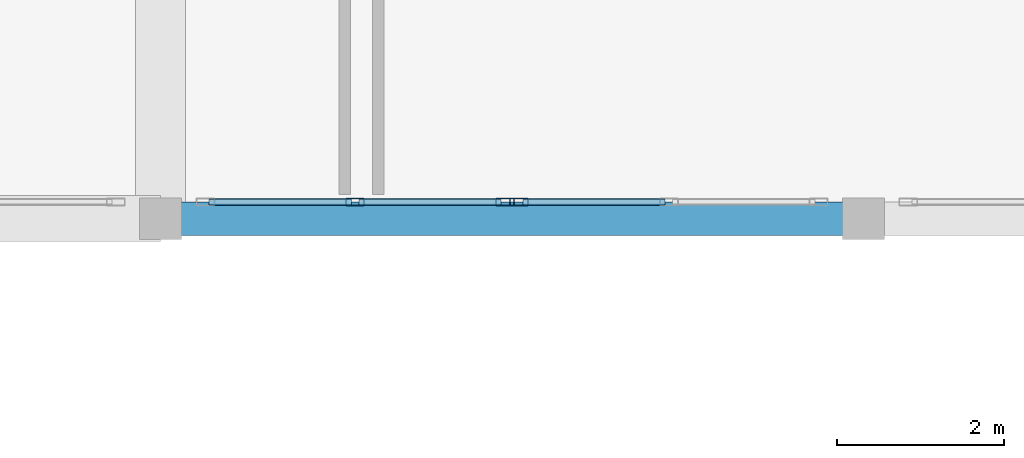
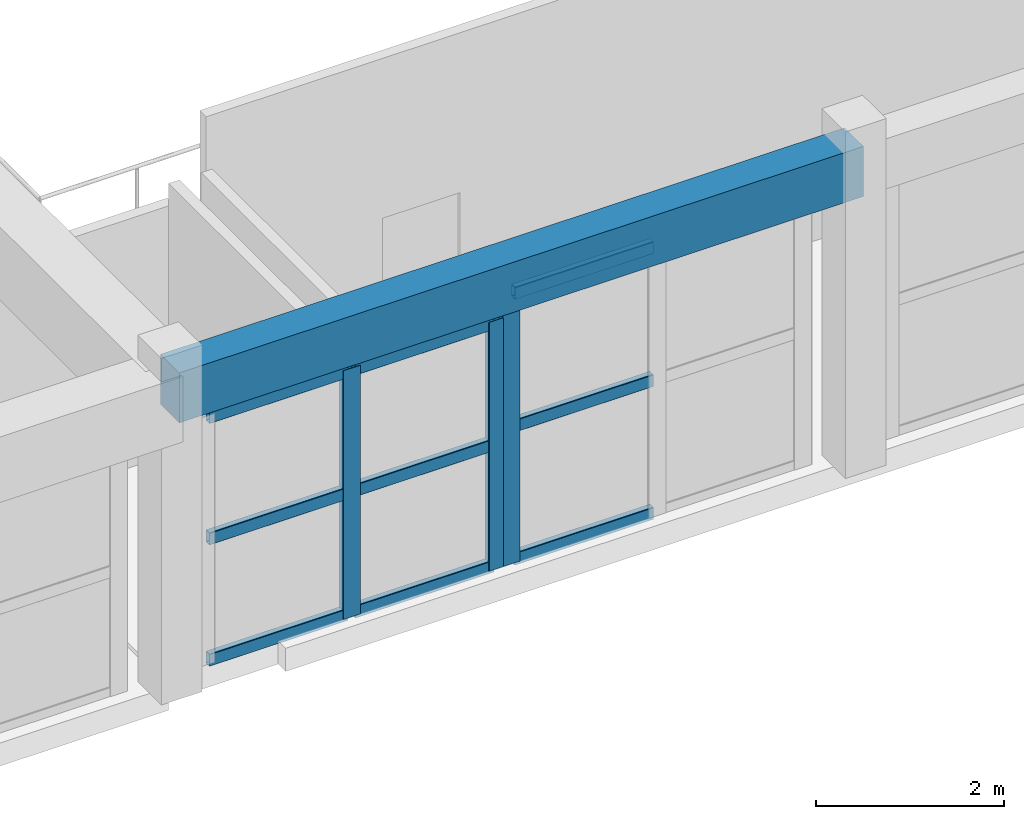
# One storey, part 15 of 92: 12 members, 1 beam, 2 elements without a shape of their own.
"""IFC4 building model written with IfcOpenShell, lengths in metres."""

from ifc_helpers import new_model, si_unit, direction, frame, origin, origin_2d, place, context, subcontext, project, spatial, rectangle, hollow_rectangle, extrude, material, layer, layer_set, material_profile, profile_set, type_object, element, aggregate, save


model = new_model("IFC4")

# Units and contexts
model_context = context("Model", 3, precision=1e-05, world=origin(), true_north=direction((0.0, 1.0)))
body_context = subcontext(model_context, "Body", "Model", "MODEL_VIEW")
ifc_project = project(units=[si_unit("LENGTHUNIT", "METRE"), si_unit("AREAUNIT", "SQUARE_METRE"), si_unit("VOLUMEUNIT", "CUBIC_METRE"), si_unit("PLANEANGLEUNIT", "RADIAN"), si_unit("MASSUNIT", "GRAM", prefix="KILO")], contexts=[model_context])

# Site, building, storey
site_placement = place(None, origin())
site = spatial("IfcSite", under=ifc_project, at=site_placement, CompositionType="ELEMENT")
building_placement = place(site_placement, origin())
building = spatial("IfcBuilding", under=site, at=building_placement, Name="Tarnavel Promenade Courthouse", CompositionType="ELEMENT")
storey_placement = place(building_placement, frame((0.0, 0.0, 5.39990234375)))
storey = spatial("IfcBuildingStorey", under=building, at=storey_placement, Name="L02", CompositionType="ELEMENT", Elevation=5.39990234375)

# Beam
ifc_material_1 = material(Name="Concrete C40/50", Category="concrete")
ifc_material_profile_1 = material_profile(ifc_material_1, rectangle(XDim=0.39990234375, YDim=0.64990234375, at=origin_2d()), Name="RC 400x650")
ifc_profile_set_1 = profile_set([ifc_material_profile_1], Name="Concrete C40/50")
beam_type = type_object("IfcBeamType", Name="Concrete C40/50 BM-RC-400x650 (RC 400x650)", PredefinedType="BEAM", material=ifc_profile_set_1)
beam_placement = place(storey_placement, frame((58.800048828125, 46.800048828125, 3.8701171875), z_axis=(1.0, 0.0, 0.0), x_axis=(0.0, 1.0, 0.0)))
element("IfcBeam", 1, at=beam_placement, inside=storey, type_object=beam_type, Name="L02 Primary Longitudinal Beam 1110", PredefinedType="BEAM", context=body_context, shape_type="SweptSolid", body=[
    extrude(rectangle(XDim=0.39990234375, YDim=0.64990234375, at=origin_2d()), origin(), (0.0, 0.0, 1.0), 8.39990234375),
])

# Curtain wall, members
ifc_material_2 = material(Name="Thermally Broken Anodised Aluminium Curtain Wall System", Category="aluminium")
ifc_layer = layer(ifc_material_2, 0.239990234375)
ifc_layer_set = layer_set([ifc_layer], Name="Thermally Broken Anodised Aluminium Curtain Wall System")
curtain_wall_type = type_object("IfcCurtainWallType", Name="Thermally Broken Aluminium Triple-Glazed Curtain Wall CW-WG-S", PredefinedType="NOTDEFINED", material=ifc_layer_set)
curtain_wall_1_placement = place(storey_placement, origin())
curtain_wall_1 = element("IfcCurtainWall", 2, at=curtain_wall_1_placement, inside=storey, type_object=curtain_wall_type, Name="L02 Winter-Garden South Solar Curtain Wall 067", PredefinedType="NOTDEFINED")
ifc_material_3 = material(Name="Thermally Broken Anodised Aluminium Frame", Category="aluminium")
ifc_material_profile_2 = material_profile(ifc_material_3, hollow_rectangle(XDim=0.090087890625, YDim=0.219970703125, WallThickness=0.0048828125, InnerFilletRadius=0.0048828125, OuterFilletRadius=0.010009765625, at=origin_2d()), Name="CWM 220x90x5")
ifc_profile_set_2 = profile_set([ifc_material_profile_2], Name="Thermally Broken Anodised Aluminium Frame")
member_type_1 = type_object("IfcMemberType", Name="Thermally Broken Anodised Aluminium CWM-175 (CWM 220x90x5)", PredefinedType="MULLION", material=ifc_profile_set_2)
member_1_placement = place(storey_placement, frame((61.125, 47.0, 0.0), z_axis=(0.0, 0.0, 1.0), x_axis=(0.0, 1.0, 0.0)))
member_1 = element("IfcMember", 3, at=member_1_placement, type_object=member_type_1, Name="CW-02 mullion 2", PredefinedType="MULLION", context=body_context, shape_type="SweptSolid", body=[
    extrude(hollow_rectangle(XDim=0.090087890625, YDim=0.219970703125, WallThickness=0.0048828125, InnerFilletRadius=0.0048828125, OuterFilletRadius=0.010009765625, at=origin_2d()), origin(), (0.0, 0.0, 1.0), 3.22998046875),
])
member_2_placement = place(storey_placement, frame((62.9150390625, 47.0, 0.0), z_axis=(0.0, 0.0, 1.0), x_axis=(0.0, 1.0, 0.0)))
member_2 = element("IfcMember", 4, at=member_2_placement, type_object=member_type_1, Name="CW-02 mullion 3", PredefinedType="MULLION", context=body_context, shape_type="SweptSolid", body=[
    extrude(hollow_rectangle(XDim=0.090087890625, YDim=0.219970703125, WallThickness=0.0048828125, InnerFilletRadius=0.0048828125, OuterFilletRadius=0.010009765625, at=origin_2d()), origin(), (0.0, 0.0, 1.0), 3.22998046875),
])

# Curtain wall, member
curtain_wall_2_placement = place(storey_placement, origin())
curtain_wall_2 = element("IfcCurtainWall", 5, at=curtain_wall_2_placement, inside=storey, type_object=curtain_wall_type, Name="L02 Winter-Garden South Solar Curtain Wall 068", PredefinedType="NOTDEFINED")
member_3_placement = place(storey_placement, frame((63.0849609375, 47.0, 0.0), z_axis=(0.0, 0.0, 1.0), x_axis=(0.0, 1.0, 0.0)))
member_3 = element("IfcMember", 6, at=member_3_placement, type_object=member_type_1, Name="CW-02 mullion 1", PredefinedType="MULLION", context=body_context, shape_type="SweptSolid", body=[
    extrude(hollow_rectangle(XDim=0.090087890625, YDim=0.219970703125, WallThickness=0.0048828125, InnerFilletRadius=0.0048828125, OuterFilletRadius=0.010009765625, at=origin_2d()), origin(), (0.0, 0.0, 1.0), 3.530029296875),
])

# Member
ifc_material_profile_3 = material_profile(ifc_material_3, hollow_rectangle(XDim=0.080078125, YDim=0.159912109375, WallThickness=0.0048828125, InnerFilletRadius=0.0048828125, OuterFilletRadius=0.010009765625, at=origin_2d()), Name="CWT 160x80x5")
ifc_profile_set_3 = profile_set([ifc_material_profile_3], Name="Thermally Broken Anodised Aluminium Frame")
member_type_2 = type_object("IfcMemberType", Name="Thermally Broken Anodised Aluminium CWT-145 (CWT 160x80x5)", PredefinedType="USERDEFINED", material=ifc_profile_set_3)
member_4_placement = place(storey_placement, frame((59.3798828125, 47.0, 0.0400390625), z_axis=(1.0, 0.0, 0.0), x_axis=(0.0, 1.0, 0.0)))
member_4 = element("IfcMember", 7, at=member_4_placement, type_object=member_type_2, Name="CW-02 transom 1.1", ObjectType="TRANSOM", PredefinedType="USERDEFINED", context=body_context, shape_type="SweptSolid", body=[
    extrude(hollow_rectangle(XDim=0.080078125, YDim=0.159912109375, WallThickness=0.0048828125, InnerFilletRadius=0.0048828125, OuterFilletRadius=0.010009765625, at=origin_2d()), origin(), (0.0, 0.0, 1.0), 1.7001953125),
])

member_5_placement = place(storey_placement, frame((59.3798828125, 47.0, 1.614990234375), z_axis=(1.0, 0.0, 0.0), x_axis=(0.0, 1.0, 0.0)))
member_5 = element("IfcMember", 8, at=member_5_placement, type_object=member_type_2, Name="CW-02 transom 1.2", ObjectType="TRANSOM", PredefinedType="USERDEFINED", context=body_context, shape_type="SweptSolid", body=[
    extrude(hollow_rectangle(XDim=0.080078125, YDim=0.159912109375, WallThickness=0.0048828125, InnerFilletRadius=0.0048828125, OuterFilletRadius=0.010009765625, at=origin_2d()), origin(), (0.0, 0.0, 1.0), 1.7001953125),
])

member_6_placement = place(storey_placement, frame((59.3798828125, 47.0, 3.190185546875), z_axis=(1.0, 0.0, 0.0), x_axis=(0.0, 1.0, 0.0)))
member_6 = element("IfcMember", 9, at=member_6_placement, type_object=member_type_2, Name="CW-02 transom 1.3", ObjectType="TRANSOM", PredefinedType="USERDEFINED", context=body_context, shape_type="SweptSolid", body=[
    extrude(hollow_rectangle(XDim=0.080078125, YDim=0.159912109375, WallThickness=0.0048828125, InnerFilletRadius=0.0048828125, OuterFilletRadius=0.010009765625, at=origin_2d()), origin(), (0.0, 0.0, 1.0), 1.7001953125),
])

member_7_placement = place(storey_placement, frame((61.169921875, 47.0, 0.0400390625), z_axis=(1.0, 0.0, 0.0), x_axis=(0.0, 1.0, 0.0)))
member_7 = element("IfcMember", 10, at=member_7_placement, type_object=member_type_2, Name="CW-02 transom 2.1", ObjectType="TRANSOM", PredefinedType="USERDEFINED", context=body_context, shape_type="SweptSolid", body=[
    extrude(hollow_rectangle(XDim=0.080078125, YDim=0.159912109375, WallThickness=0.0048828125, InnerFilletRadius=0.0048828125, OuterFilletRadius=0.010009765625, at=origin_2d()), origin(), (0.0, 0.0, 1.0), 1.7001953125),
])

member_8_placement = place(storey_placement, frame((61.169921875, 47.0, 1.614990234375), z_axis=(1.0, 0.0, 0.0), x_axis=(0.0, 1.0, 0.0)))
member_8 = element("IfcMember", 11, at=member_8_placement, type_object=member_type_2, Name="CW-02 transom 2.2", ObjectType="TRANSOM", PredefinedType="USERDEFINED", context=body_context, shape_type="SweptSolid", body=[
    extrude(hollow_rectangle(XDim=0.080078125, YDim=0.159912109375, WallThickness=0.0048828125, InnerFilletRadius=0.0048828125, OuterFilletRadius=0.010009765625, at=origin_2d()), origin(), (0.0, 0.0, 1.0), 1.7001953125),
])

member_9_placement = place(storey_placement, frame((61.169921875, 47.0, 3.190185546875), z_axis=(1.0, 0.0, 0.0), x_axis=(0.0, 1.0, 0.0)))
member_9 = element("IfcMember", 12, at=member_9_placement, type_object=member_type_2, Name="CW-02 transom 2.3", ObjectType="TRANSOM", PredefinedType="USERDEFINED", context=body_context, shape_type="SweptSolid", body=[
    extrude(hollow_rectangle(XDim=0.080078125, YDim=0.159912109375, WallThickness=0.0048828125, InnerFilletRadius=0.0048828125, OuterFilletRadius=0.010009765625, at=origin_2d()), origin(), (0.0, 0.0, 1.0), 1.7001953125),
])

aggregate(curtain_wall_1, [member_1, member_2, member_4, member_5, member_6, member_7, member_8, member_9])

member_10_placement = place(storey_placement, frame((63.1298828125, 47.0, 0.0400390625), z_axis=(1.0, 0.0, 0.0), x_axis=(0.0, 1.0, 0.0)))
member_10 = element("IfcMember", 13, at=member_10_placement, type_object=member_type_2, Name="CW-02 transom 1.1", ObjectType="TRANSOM", PredefinedType="USERDEFINED", context=body_context, shape_type="SweptSolid", body=[
    extrude(hollow_rectangle(XDim=0.080078125, YDim=0.159912109375, WallThickness=0.0048828125, InnerFilletRadius=0.0048828125, OuterFilletRadius=0.010009765625, at=origin_2d()), origin(), (0.0, 0.0, 1.0), 1.7001953125),
])

member_11_placement = place(storey_placement, frame((63.1298828125, 47.0, 1.76513671875), z_axis=(1.0, 0.0, 0.0), x_axis=(0.0, 1.0, 0.0)))
member_11 = element("IfcMember", 14, at=member_11_placement, type_object=member_type_2, Name="CW-02 transom 1.2", ObjectType="TRANSOM", PredefinedType="USERDEFINED", context=body_context, shape_type="SweptSolid", body=[
    extrude(hollow_rectangle(XDim=0.080078125, YDim=0.159912109375, WallThickness=0.0048828125, InnerFilletRadius=0.0048828125, OuterFilletRadius=0.010009765625, at=origin_2d()), origin(), (0.0, 0.0, 1.0), 1.7001953125),
])

member_12_placement = place(storey_placement, frame((63.1298828125, 47.0, 3.489990234375), z_axis=(1.0, 0.0, 0.0), x_axis=(0.0, 1.0, 0.0)))
member_12 = element("IfcMember", 15, at=member_12_placement, type_object=member_type_2, Name="CW-02 transom 1.3", ObjectType="TRANSOM", PredefinedType="USERDEFINED", context=body_context, shape_type="SweptSolid", body=[
    extrude(hollow_rectangle(XDim=0.080078125, YDim=0.159912109375, WallThickness=0.0048828125, InnerFilletRadius=0.0048828125, OuterFilletRadius=0.010009765625, at=origin_2d()), origin(), (0.0, 0.0, 1.0), 1.7001953125),
])

aggregate(curtain_wall_2, [member_3, member_10, member_11, member_12])

save(model, "model.ifc")
